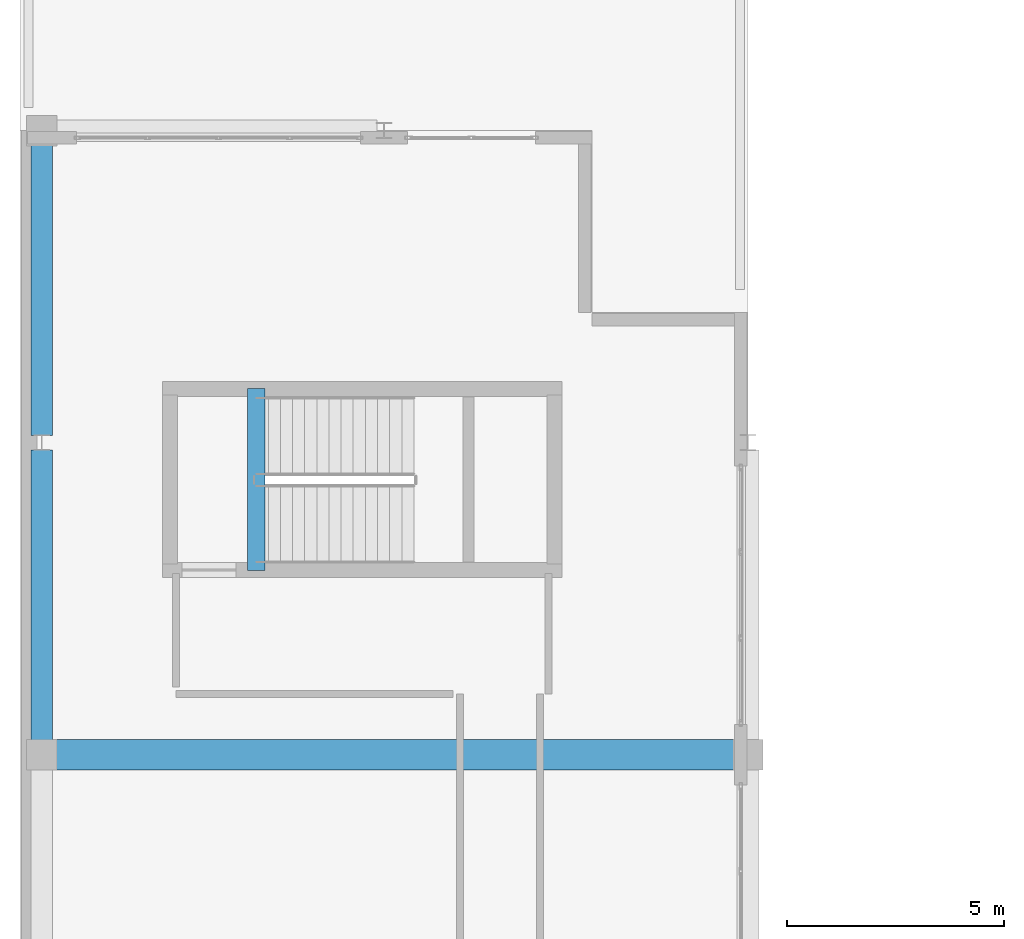
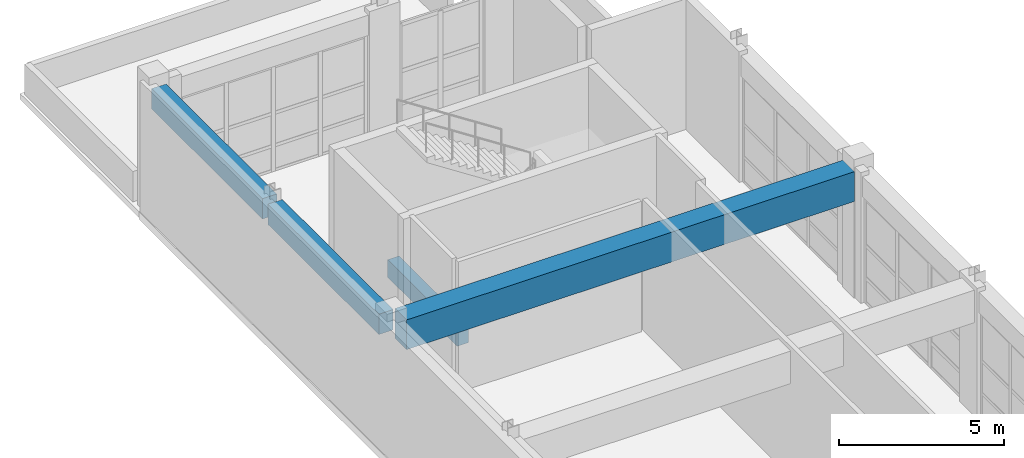
# One storey, part 25 of 78: 4 beams.
"""IFC4 building model written with IfcOpenShell, lengths in metres."""

from ifc_helpers import new_model, si_unit, direction, frame, origin, origin_2d, place, context, subcontext, project, spatial, rectangle, extrude, material, material_profile, profile_set, type_object, element, save


model = new_model("IFC4")

# Units and contexts
model_context = context("Model", 3, precision=1e-05, world=origin(), true_north=direction((0.0, 1.0)))
body_context = subcontext(model_context, "Body", "Model", "MODEL_VIEW")
ifc_project = project(units=[si_unit("LENGTHUNIT", "METRE"), si_unit("AREAUNIT", "SQUARE_METRE"), si_unit("VOLUMEUNIT", "CUBIC_METRE"), si_unit("PLANEANGLEUNIT", "RADIAN"), si_unit("MASSUNIT", "GRAM", prefix="KILO")], contexts=[model_context])

# Site, building, storey
site_placement = place(None, origin())
site = spatial("IfcSite", under=ifc_project, at=site_placement, CompositionType="ELEMENT")
building_placement = place(site_placement, origin())
building = spatial("IfcBuilding", under=site, at=building_placement, Name="Quendrovan Civic Courthouse", CompositionType="ELEMENT")
storey_placement = place(building_placement, frame((0.0, 0.0, 10.199951171875)))
storey = spatial("IfcBuildingStorey", under=building, at=storey_placement, Name="L03", CompositionType="ELEMENT", Elevation=10.199951171875)

# Beams
ifc_material_1 = material(Name="Post-tensioned concrete C50/60", Category="concrete")
ifc_material_profile_1 = material_profile(ifc_material_1, rectangle(XDim=0.699951171875, YDim=1.10009765625, at=origin_2d()), Name="PT-GIRD-700x1100")
ifc_profile_set_1 = profile_set([ifc_material_profile_1], Name="Post-tensioned concrete C50/60")
beam_type_1 = type_object("IfcBeamType", Name="BM-PT1100", PredefinedType="BEAM", material=ifc_profile_set_1)
beam_1_placement = place(storey_placement, frame((0.830078125, 80.39990234375, 4.110107421875), z_axis=(1.0, 0.0, 0.0), x_axis=(0.0, 1.0, 0.0)))
element("IfcBeam", 1, at=beam_1_placement, inside=storey, type_object=beam_type_1, Name="L03 Girder X0756", PredefinedType="BEAM", context=body_context, shape_type="SweptSolid", body=[
    extrude(rectangle(XDim=0.699951171875, YDim=1.10009765625, at=origin_2d()), origin(), (0.0, 0.0, 1.0), 15.639892578125),
])
ifc_material_2 = material(Name="Concrete C40/50", Category="concrete")
ifc_material_profile_2 = material_profile(ifc_material_2, rectangle(XDim=0.39990234375, YDim=0.64990234375, at=origin_2d()), Name="RC-BM-400x650")
ifc_profile_set_2 = profile_set([ifc_material_profile_2], Name="Concrete C40/50")
beam_type_2 = type_object("IfcBeamType", Name="BM-RC650", PredefinedType="JOIST", material=ifc_profile_set_2)
beam_2_placement = place(storey_placement, frame((5.449951171875, 84.64990234375, -0.324951171875), z_axis=(0.0, 1.0, 0.0), x_axis=(-1.0, 0.0, 0.0)))
element("IfcBeam", 2, at=beam_2_placement, inside=storey, type_object=beam_type_2, Name="L03 Stair ST8 Landing Trimmer Beam", PredefinedType="JOIST", context=body_context, shape_type="SweptSolid", body=[
    extrude(rectangle(XDim=0.39990234375, YDim=0.64990234375, at=origin_2d()), origin(), (0.0, 0.0, 1.0), 4.2001953125),
])
ifc_material_profile_3 = material_profile(ifc_material_2, rectangle(XDim=0.5, YDim=0.75, at=origin_2d()), Name="RC-BM-500x750")
ifc_profile_set_3 = profile_set([ifc_material_profile_3], Name="Concrete C40/50")
beam_type_3 = type_object("IfcBeamType", Name="BM-RC750", PredefinedType="SPANDREL", material=ifc_profile_set_3)
beam_3_placement = place(storey_placement, frame((0.5, 80.72998046875, 4.28515625), z_axis=(0.0, 1.0, 0.0), x_axis=(-1.0, 0.0, 0.0)))
element("IfcBeam", 3, at=beam_3_placement, inside=storey, type_object=beam_type_3, Name="L03 Girder Y0803", PredefinedType="SPANDREL", context=body_context, shape_type="SweptSolid", body=[
    extrude(rectangle(XDim=0.5, YDim=0.75, at=origin_2d()), origin(), (0.0, 0.0, 1.0), 6.7041015625),
])
beam_4_placement = place(storey_placement, frame((0.5, 87.76611328125, 4.28515625), z_axis=(0.0, 1.0, 0.0), x_axis=(-1.0, 0.0, 0.0)))
element("IfcBeam", 4, at=beam_4_placement, inside=storey, type_object=beam_type_3, Name="L03 Girder Y0804", PredefinedType="SPANDREL", context=body_context, shape_type="SweptSolid", body=[
    extrude(rectangle(XDim=0.5, YDim=0.75, at=origin_2d()), origin(), (0.0, 0.0, 1.0), 6.703857421875),
])

save(model, "model.ifc")
